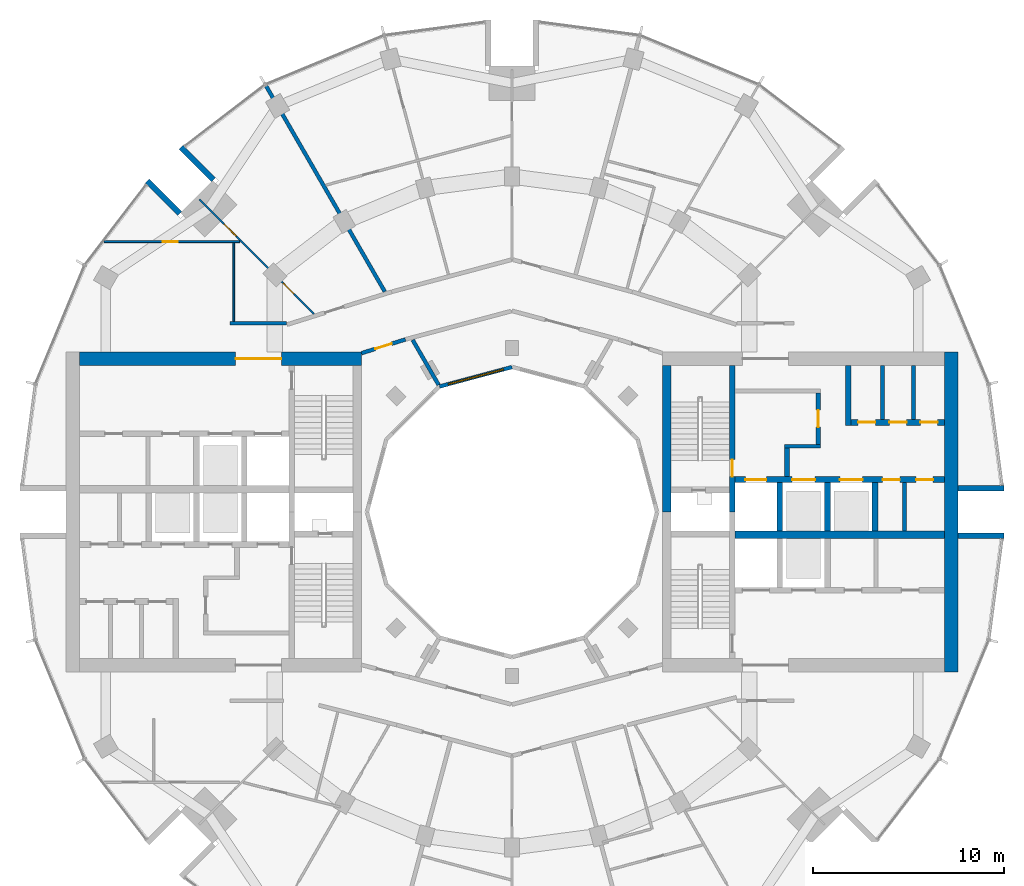
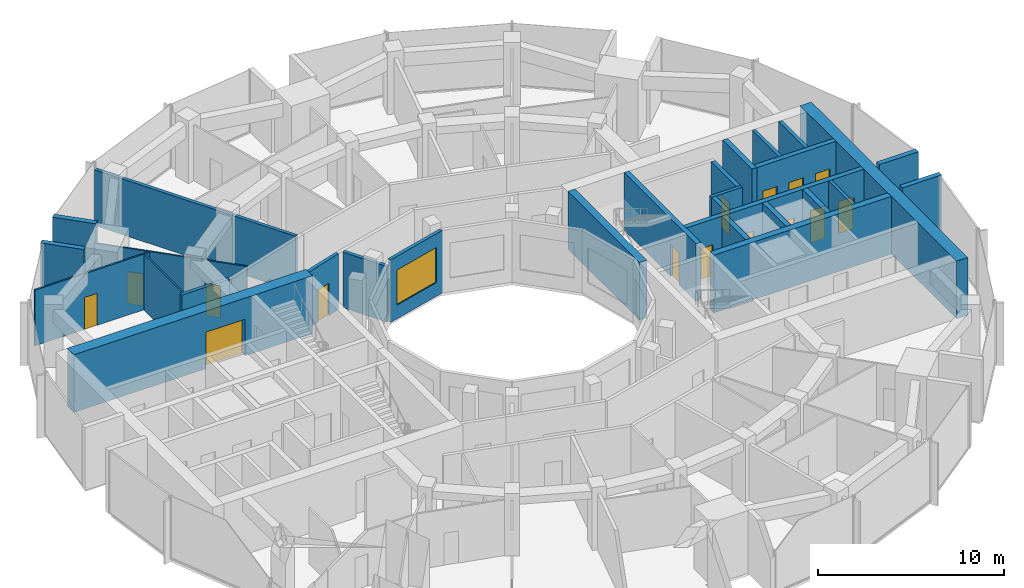
# One storey, part 11 of 15: 29 walls, 15 doors, 1 window, 16 openings.
"""IFC4 building model written with IfcOpenShell, lengths in metres."""

from ifc_helpers import new_model, si_unit, direction, frame, frame_2d, origin, place, context, subcontext, project, spatial, rectangle, extrude, material, layer, layer_set, type_object, element, fill, save


model = new_model("IFC4")

# Units and contexts
model_context = context("Model", 3, precision=1e-05, world=origin(), true_north=direction((0.0, 1.0)))
body_context = subcontext(model_context, "Body", "Model", "MODEL_VIEW")
ifc_project = project(units=[si_unit("LENGTHUNIT", "METRE"), si_unit("AREAUNIT", "SQUARE_METRE"), si_unit("VOLUMEUNIT", "CUBIC_METRE"), si_unit("PLANEANGLEUNIT", "RADIAN"), si_unit("MASSUNIT", "GRAM", prefix="KILO")], contexts=[model_context])

# Site, building, storey
site_placement = place(None, origin())
site = spatial("IfcSite", under=ifc_project, at=site_placement, CompositionType="ELEMENT")
building_placement = place(site_placement, origin())
building = spatial("IfcBuilding", under=site, at=building_placement, Name="Torre Brocal", CompositionType="ELEMENT")
storey_placement = place(building_placement, frame((0.0, 0.0, 170.0)))
storey = spatial("IfcBuildingStorey", under=building, at=storey_placement, Name="L39", CompositionType="ELEMENT", Elevation=170.0)

# Walls
ifc_material_1 = material(Name="Masonry block", Category="masonry")
ifc_layer_1 = layer(ifc_material_1, 0.199951171875)
ifc_layer_set_1 = layer_set([ifc_layer_1], Name="Masonry block")
wall_type_1 = type_object("IfcWallType", Name="CORE PARTITION 200", PredefinedType="PARTITIONING", material=ifc_layer_set_1)
wall_1_placement = place(storey_placement, frame((100.60009765625, 74.0, 0.0), z_axis=(0.0, 0.0, 1.0), x_axis=(0.0, 1.0, 0.0)))
element("IfcWall", 1, at=wall_1_placement, inside=storey, type_object=wall_type_1, Name="Wall CP200", PredefinedType="PARTITIONING", context=body_context, shape_type="SweptSolid", body=[
    extrude(rectangle(XDim=2.550048828125, YDim=0.199951171875, at=frame_2d((1.27490234375, 0.0))), origin(), (0.0, 0.0, 1.0), 3.780029296875),
])
for number, where, z_axis, x_axis, name in (
    (2, (99.433349609375, 79.85009765625, 0.0), (0.0, 0.0, 1.0), (0.0, 1.0, 0.0), "Wall CP200"),
    (3, (101.066650390625, 79.85009765625, 0.0), (0.0, 0.0, 1.0), (0.0, 1.0, 0.0), "Wall CP200"),
):
    element("IfcWall", number, at=place(storey_placement, frame(where, z_axis=z_axis, x_axis=x_axis)), inside=storey, type_object=wall_type_1, Name=name, PredefinedType="PARTITIONING", context=body_context, shape_type="SweptSolid", body=[
        extrude(rectangle(XDim=2.849853515625, YDim=0.199951171875, at=frame_2d((1.4248046875, 0.0))), origin(), (0.0, 0.0, 1.0), 3.780029296875),
    ])
ifc_material_2 = material(Name="Concrete C70", Category="concrete")
ifc_layer_2 = layer(ifc_material_2, 0.199951171875)
ifc_layer_set_2 = layer_set([ifc_layer_2], Name="Concrete C70")
wall_type_2 = type_object("IfcWallType", Name="CORE WALL 200 C70", PredefinedType="SHEAR", material=ifc_layer_set_2)
wall_2_placement = place(storey_placement, frame((94.300048828125, 78.449951171875, 0.0), z_axis=(0.0, 0.0, 1.0), x_axis=(1.0, 0.0, 0.0)))
element("IfcWall", 4, at=wall_2_placement, inside=storey, type_object=wall_type_2, Name="Wall CW200-70", PredefinedType="SHEAR", context=body_context, shape_type="SweptSolid", body=[
    extrude(rectangle(XDim=1.89990234375, YDim=0.199951171875, at=frame_2d((0.949951171875, 0.0))), origin(), (0.0, 0.0, 1.0), 3.780029296875),
])

# Wall, opening, door
ifc_material_3 = material(Name="Concrete C70", Category="concrete")
ifc_layer_3 = layer(ifc_material_3, 0.25)
ifc_layer_set_3 = layer_set([ifc_layer_3], Name="Concrete C70")
wall_type_3 = type_object("IfcWallType", Name="CORE WALL 250 C70", PredefinedType="SHEAR", material=ifc_layer_set_3)
wall_3_placement = place(storey_placement, frame((96.074951171875, 78.550048828125, 0.0), z_axis=(0.0, 0.0, 1.0), x_axis=(0.0, 1.0, 0.0)))
wall_3 = element("IfcWall", 5, at=wall_3_placement, inside=storey, type_object=wall_type_3, Name="Wall CW250-70", PredefinedType="SHEAR", context=body_context, shape_type="SweptSolid", body=[
    extrude(rectangle(XDim=2.699951171875, YDim=0.25, at=frame_2d((1.35009765625, 0.0))), origin(), (0.0, 0.0, 1.0), 3.780029296875),
])
opening_1_placement = place(wall_3_placement, frame((0.89990234375, 0.0, 0.0)))
opening_1 = element("IfcOpeningElement", 6, at=opening_1_placement, cuts=wall_3, Name="Opening E-D08", PredefinedType="OPENING", context=body_context, shape_type="SweptSolid", body=[
    extrude(rectangle(XDim=0.89990234375, YDim=2.10009765625, at=frame_2d((0.449951171875, 1.050048828125))), frame((0.0, 0.135009765625, 0.0), z_axis=(0.0, -1.0, 0.0), x_axis=(1.0, 0.0, 0.0)), (0.0, 0.0, 1.0), 0.27001953125),
])
ifc_material_4 = material(Name="Steel A653", Category="steel")
door_type_1 = type_object("IfcDoorType", Name="LOBBY DOOR FD120 900X2100", OperationType="SINGLE_SWING_RIGHT", PredefinedType="DOOR", material=ifc_material_4)
door_1_placement = place(opening_1_placement, origin())
door_1 = element("IfcDoor", 7, at=door_1_placement, inside=storey, type_object=door_type_1, Name="Door E-D08", OperationType="SINGLE_SWING_LEFT", OverallHeight=2.10009765625, OverallWidth=0.89990234375, PredefinedType="DOOR", context=body_context, shape_type="SweptSolid", body=[
    extrude(rectangle(XDim=0.89990234375, YDim=2.10009765625, at=frame_2d((0.449951171875, 1.050048828125))), frame((0.0, 0.02490234375, 0.0), z_axis=(0.0, -1.0, 0.0), x_axis=(1.0, 0.0, 0.0)), (0.0, 0.0, 1.0), 0.050048828125),
])
fill(opening_1, door_1)

# Wall
wall_4_placement = place(storey_placement, frame((94.425048828125, 76.85009765625, 0.0), z_axis=(0.0, 0.0, 1.0), x_axis=(0.0, 1.0, 0.0)))
element("IfcWall", 8, at=wall_4_placement, inside=storey, type_object=wall_type_3, Name="Wall CW250-70", PredefinedType="SHEAR", context=body_context, shape_type="SweptSolid", body=[
    extrude(rectangle(XDim=1.5, YDim=0.25, at=frame_2d((0.75, 0.0))), origin(), (0.0, 0.0, 1.0), 3.780029296875),
])

# Wall, opening, door
ifc_material_5 = material(Name="Concrete C70", Category="concrete")
ifc_layer_4 = layer(ifc_material_5, 0.300048828125)
ifc_layer_set_4 = layer_set([ifc_layer_4], Name="Concrete C70")
wall_type_4 = type_object("IfcWallType", Name="CORE WALL 300 C70", PredefinedType="SHEAR", material=ifc_layer_set_4)
wall_5_placement = place(storey_placement, frame((91.550048828125, 75.0, 0.0), z_axis=(0.0, 0.0, 1.0), x_axis=(0.0, 1.0, 0.0)))
wall_5 = element("IfcWall", 9, at=wall_5_placement, inside=storey, type_object=wall_type_4, Name="Wall CW300-70", PredefinedType="SHEAR", context=body_context, shape_type="SweptSolid", body=[
    extrude(rectangle(XDim=7.699951171875, YDim=0.300048828125, at=frame_2d((3.85009765625, 0.0))), origin(), (0.0, 0.0, 1.0), 3.780029296875),
])
opening_2_placement = place(wall_5_placement, frame((1.85009765625, 0.0, 0.0)))
opening_2 = element("IfcOpeningElement", 10, at=opening_2_placement, cuts=wall_5, Name="Opening E-D02", PredefinedType="OPENING", context=body_context, shape_type="SweptSolid", body=[
    extrude(rectangle(XDim=0.89990234375, YDim=2.10009765625, at=frame_2d((0.449951171875, 1.050048828125))), frame((0.0, 0.159912109375, 0.0), z_axis=(0.0, -1.0, 0.0), x_axis=(1.0, 0.0, 0.0)), (0.0, 0.0, 1.0), 0.320068359375),
])
ifc_material_6 = material(Name="Steel A653", Category="steel")
door_type_2 = type_object("IfcDoorType", Name="STAIR DOOR FD120 900X2100", OperationType="SINGLE_SWING_RIGHT", PredefinedType="DOOR", material=ifc_material_6)
door_2_placement = place(opening_2_placement, origin())
door_2 = element("IfcDoor", 11, at=door_2_placement, inside=storey, type_object=door_type_2, Name="Door E-D02", OperationType="SINGLE_SWING_LEFT", OverallHeight=2.10009765625, OverallWidth=0.89990234375, PredefinedType="DOOR", context=body_context, shape_type="SweptSolid", body=[
    extrude(rectangle(XDim=0.89990234375, YDim=2.10009765625, at=frame_2d((0.449951171875, 1.050048828125))), frame((0.0, 0.02490234375, 0.0), z_axis=(0.0, -1.0, 0.0), x_axis=(1.0, 0.0, 0.0)), (0.0, 0.0, 1.0), 0.050048828125),
])
fill(opening_2, door_2)

# Wall, openings, doors
wall_6_placement = place(storey_placement, frame((91.699951171875, 76.699951171875, 0.0), z_axis=(0.0, 0.0, 1.0), x_axis=(1.0, 0.0, 0.0)))
wall_6 = element("IfcWall", 12, at=wall_6_placement, inside=storey, type_object=wall_type_4, Name="Wall CW300-70", PredefinedType="SHEAR", context=body_context, shape_type="SweptSolid", body=[
    extrude(rectangle(XDim=11.0, YDim=0.300048828125, at=frame_2d((5.5, 0.0))), origin(), (0.0, 0.0, 1.0), 3.780029296875),
])
opening_3_placement = place(wall_6_placement, frame((0.550048828125, 0.0, 0.0)))
opening_3 = element("IfcOpeningElement", 13, at=opening_3_placement, cuts=wall_6, Name="Opening LD", PredefinedType="OPENING", context=body_context, shape_type="SweptSolid", body=[
    extrude(rectangle(XDim=1.10009765625, YDim=2.10009765625, at=frame_2d((0.550048828125, 1.050048828125))), frame((0.0, 0.159912109375, 0.0), z_axis=(0.0, -1.0, 0.0), x_axis=(1.0, 0.0, 0.0)), (0.0, 0.0, 1.0), 0.320068359375),
])
opening_4_placement = place(wall_6_placement, frame((3.0, 0.0, 0.0)))
opening_4 = element("IfcOpeningElement", 14, at=opening_4_placement, cuts=wall_6, Name="Opening LD12", PredefinedType="OPENING", context=body_context, shape_type="SweptSolid", body=[
    extrude(rectangle(XDim=1.199951171875, YDim=2.10009765625, at=frame_2d((0.60009765625, 1.050048828125))), frame((0.0, 0.159912109375, 0.0), z_axis=(0.0, -1.0, 0.0), x_axis=(1.0, 0.0, 0.0)), (0.0, 0.0, 1.0), 0.320068359375),
])
opening_5_placement = place(wall_6_placement, frame((5.5, 0.0, 0.0)))
opening_5 = element("IfcOpeningElement", 15, at=opening_5_placement, cuts=wall_6, Name="Opening LD12", PredefinedType="OPENING", context=body_context, shape_type="SweptSolid", body=[
    extrude(rectangle(XDim=1.199951171875, YDim=2.10009765625, at=frame_2d((0.60009765625, 1.050048828125))), frame((0.0, 0.159912109375, 0.0), z_axis=(0.0, -1.0, 0.0), x_axis=(1.0, 0.0, 0.0)), (0.0, 0.0, 1.0), 0.320068359375),
])
opening_6_placement = place(wall_6_placement, frame((7.75, 0.0, 0.0)))
opening_6 = element("IfcOpeningElement", 16, at=opening_6_placement, cuts=wall_6, Name="Opening E-D04", PredefinedType="OPENING", context=body_context, shape_type="SweptSolid", body=[
    extrude(rectangle(XDim=0.89990234375, YDim=2.10009765625, at=frame_2d((0.449951171875, 1.050048828125))), frame((0.0, 0.159912109375, 0.0), z_axis=(0.0, -1.0, 0.0), x_axis=(1.0, 0.0, 0.0)), (0.0, 0.0, 1.0), 0.320068359375),
])
opening_7_placement = place(wall_6_placement, frame((9.5, 0.0, 0.0)))
opening_7 = element("IfcOpeningElement", 17, at=opening_7_placement, cuts=wall_6, Name="Opening E-D05", PredefinedType="OPENING", context=body_context, shape_type="SweptSolid", body=[
    extrude(rectangle(XDim=0.89990234375, YDim=2.10009765625, at=frame_2d((0.449951171875, 1.050048828125))), frame((0.0, 0.159912109375, 0.0), z_axis=(0.0, -1.0, 0.0), x_axis=(1.0, 0.0, 0.0)), (0.0, 0.0, 1.0), 0.320068359375),
])
ifc_material_7 = material(Name="Stainless steel AISI 316", Category="steel")
door_type_3 = type_object("IfcDoorType", Name="LIFT LANDING DOOR 1100X2100", OperationType="DOUBLE_DOOR_SLIDING", PredefinedType="DOOR", material=ifc_material_7)
door_3_placement = place(opening_3_placement, origin())
door_3 = element("IfcDoor", 18, at=door_3_placement, inside=storey, type_object=door_type_3, Name="Door LD", OperationType="DOUBLE_DOOR_SLIDING", OverallHeight=2.10009765625, OverallWidth=1.10009765625, PredefinedType="DOOR", context=body_context, shape_type="SweptSolid", body=[
    extrude(rectangle(XDim=1.10009765625, YDim=2.10009765625, at=frame_2d((0.550048828125, 1.050048828125))), frame((0.0, 0.02490234375, 0.0), z_axis=(0.0, -1.0, 0.0), x_axis=(1.0, 0.0, 0.0)), (0.0, 0.0, 1.0), 0.050048828125),
])
fill(opening_3, door_3)
ifc_material_8 = material(Name="Stainless steel AISI 316", Category="steel")
door_type_4 = type_object("IfcDoorType", Name="LIFT LANDING DOOR 1200X2100", OperationType="DOUBLE_DOOR_SLIDING", PredefinedType="DOOR", material=ifc_material_8)
door_4_placement = place(opening_4_placement, origin())
door_4 = element("IfcDoor", 19, at=door_4_placement, inside=storey, type_object=door_type_4, Name="Door LD12", OperationType="DOUBLE_DOOR_SLIDING", OverallHeight=2.10009765625, OverallWidth=1.199951171875, PredefinedType="DOOR", context=body_context, shape_type="SweptSolid", body=[
    extrude(rectangle(XDim=1.199951171875, YDim=2.10009765625, at=frame_2d((0.60009765625, 1.050048828125))), frame((0.0, 0.02490234375, 0.0), z_axis=(0.0, -1.0, 0.0), x_axis=(1.0, 0.0, 0.0)), (0.0, 0.0, 1.0), 0.050048828125),
])
fill(opening_4, door_4)
door_5_placement = place(opening_5_placement, origin())
door_5 = element("IfcDoor", 20, at=door_5_placement, inside=storey, type_object=door_type_4, Name="Door LD12", OperationType="DOUBLE_DOOR_SLIDING", OverallHeight=2.10009765625, OverallWidth=1.199951171875, PredefinedType="DOOR", context=body_context, shape_type="SweptSolid", body=[
    extrude(rectangle(XDim=1.199951171875, YDim=2.10009765625, at=frame_2d((0.60009765625, 1.050048828125))), frame((0.0, 0.02490234375, 0.0), z_axis=(0.0, -1.0, 0.0), x_axis=(1.0, 0.0, 0.0)), (0.0, 0.0, 1.0), 0.050048828125),
])
fill(opening_5, door_5)
ifc_material_9 = material(Name="Steel A653", Category="steel")
door_type_5 = type_object("IfcDoorType", Name="ROOM DOOR FD30S 900X2100", OperationType="SINGLE_SWING_LEFT", PredefinedType="DOOR", material=ifc_material_9)
door_6_placement = place(opening_6_placement, frame((0.89990234375, 0.0, 0.0), z_axis=(0.0, 0.0, 1.0), x_axis=(-1.0, 0.0, 0.0)))
door_6 = element("IfcDoor", 21, at=door_6_placement, inside=storey, type_object=door_type_5, Name="Door E-D04", OperationType="SINGLE_SWING_LEFT", OverallHeight=2.10009765625, OverallWidth=0.89990234375, PredefinedType="DOOR", context=body_context, shape_type="SweptSolid", body=[
    extrude(rectangle(XDim=0.89990234375, YDim=2.10009765625, at=frame_2d((0.449951171875, 1.050048828125))), frame((0.0, 0.02490234375, 0.0), z_axis=(0.0, -1.0, 0.0), x_axis=(1.0, 0.0, 0.0)), (0.0, 0.0, 1.0), 0.050048828125),
])
fill(opening_6, door_6)
door_7_placement = place(opening_7_placement, frame((0.89990234375, 0.0, 0.0), z_axis=(0.0, 0.0, 1.0), x_axis=(-1.0, 0.0, 0.0)))
door_7 = element("IfcDoor", 22, at=door_7_placement, inside=storey, type_object=door_type_5, Name="Door E-D05", OperationType="SINGLE_SWING_RIGHT", OverallHeight=2.10009765625, OverallWidth=0.89990234375, PredefinedType="DOOR", context=body_context, shape_type="SweptSolid", body=[
    extrude(rectangle(XDim=0.89990234375, YDim=2.10009765625, at=frame_2d((0.449951171875, 1.050048828125))), frame((0.0, 0.02490234375, 0.0), z_axis=(0.0, -1.0, 0.0), x_axis=(1.0, 0.0, 0.0)), (0.0, 0.0, 1.0), 0.050048828125),
])
fill(opening_7, door_7)

# Walls
for number, where, z_axis, x_axis, name in (
    (23, (94.050048828125, 74.0, 0.0), (0.0, 0.0, 1.0), (0.0, 1.0, 0.0), "Wall CW300-70"),
    (24, (96.550048828125, 74.0, 0.0), (0.0, 0.0, 1.0), (0.0, 1.0, 0.0), "Wall CW300-70"),
    (25, (99.050048828125, 74.0, 0.0), (0.0, 0.0, 1.0), (0.0, 1.0, 0.0), "Wall CW300-70"),
):
    element("IfcWall", number, at=place(storey_placement, frame(where, z_axis=z_axis, x_axis=x_axis)), inside=storey, type_object=wall_type_4, Name=name, PredefinedType="SHEAR", context=body_context, shape_type="SweptSolid", body=[
        extrude(rectangle(XDim=2.550048828125, YDim=0.300048828125, at=frame_2d((1.27490234375, 0.0))), origin(), (0.0, 0.0, 1.0), 3.780029296875),
    ])
wall_7_placement = place(storey_placement, frame((97.64990234375, 79.550048828125, 0.0), z_axis=(0.0, 0.0, 1.0), x_axis=(0.0, 1.0, 0.0)))
element("IfcWall", 26, at=wall_7_placement, inside=storey, type_object=wall_type_4, Name="Wall CW300-70", PredefinedType="SHEAR", context=body_context, shape_type="SweptSolid", body=[
    extrude(rectangle(XDim=3.14990234375, YDim=0.300048828125, at=frame_2d((1.574951171875, 0.0))), origin(), (0.0, 0.0, 1.0), 3.780029296875),
])

# Wall, openings, doors
wall_8_placement = place(storey_placement, frame((97.800048828125, 79.699951171875, 0.0), z_axis=(0.0, 0.0, 1.0), x_axis=(1.0, 0.0, 0.0)))
wall_8 = element("IfcWall", 27, at=wall_8_placement, inside=storey, type_object=wall_type_4, Name="Wall CW300-70", PredefinedType="SHEAR", context=body_context, shape_type="SweptSolid", body=[
    extrude(rectangle(XDim=4.89990234375, YDim=0.300048828125, at=frame_2d((2.449951171875, 0.0))), origin(), (0.0, 0.0, 1.0), 3.780029296875),
])
opening_8_placement = place(wall_8_placement, frame((0.36669921875, 0.0, 0.0)))
opening_8 = element("IfcOpeningElement", 28, at=opening_8_placement, cuts=wall_8, Name="Opening E-D09", PredefinedType="OPENING", context=body_context, shape_type="SweptSolid", body=[
    extrude(rectangle(XDim=0.89990234375, YDim=2.10009765625, at=frame_2d((0.449951171875, 1.050048828125))), frame((0.0, 0.159912109375, 0.0), z_axis=(0.0, -1.0, 0.0), x_axis=(1.0, 0.0, 0.0)), (0.0, 0.0, 1.0), 0.320068359375),
])
opening_9_placement = place(wall_8_placement, frame((2.0, 0.0, 0.0)))
opening_9 = element("IfcOpeningElement", 29, at=opening_9_placement, cuts=wall_8, Name="Opening E-D10", PredefinedType="OPENING", context=body_context, shape_type="SweptSolid", body=[
    extrude(rectangle(XDim=0.89990234375, YDim=2.10009765625, at=frame_2d((0.449951171875, 1.050048828125))), frame((0.0, 0.159912109375, 0.0), z_axis=(0.0, -1.0, 0.0), x_axis=(1.0, 0.0, 0.0)), (0.0, 0.0, 1.0), 0.320068359375),
])
opening_10_placement = place(wall_8_placement, frame((3.63330078125, 0.0, 0.0)))
opening_10 = element("IfcOpeningElement", 30, at=opening_10_placement, cuts=wall_8, Name="Opening E-D11", PredefinedType="OPENING", context=body_context, shape_type="SweptSolid", body=[
    extrude(rectangle(XDim=0.89990234375, YDim=2.10009765625, at=frame_2d((0.449951171875, 1.050048828125))), frame((0.0, 0.159912109375, 0.0), z_axis=(0.0, -1.0, 0.0), x_axis=(1.0, 0.0, 0.0)), (0.0, 0.0, 1.0), 0.320068359375),
])
door_8_placement = place(opening_8_placement, origin())
door_8 = element("IfcDoor", 31, at=door_8_placement, inside=storey, type_object=door_type_5, Name="Door E-D09", OperationType="SINGLE_SWING_RIGHT", OverallHeight=2.10009765625, OverallWidth=0.89990234375, PredefinedType="DOOR", context=body_context, shape_type="SweptSolid", body=[
    extrude(rectangle(XDim=0.89990234375, YDim=2.10009765625, at=frame_2d((0.449951171875, 1.050048828125))), frame((0.0, 0.02490234375, 0.0), z_axis=(0.0, -1.0, 0.0), x_axis=(1.0, 0.0, 0.0)), (0.0, 0.0, 1.0), 0.050048828125),
])
fill(opening_8, door_8)
door_9_placement = place(opening_9_placement, origin())
door_9 = element("IfcDoor", 32, at=door_9_placement, inside=storey, type_object=door_type_5, Name="Door E-D10", OperationType="SINGLE_SWING_LEFT", OverallHeight=2.10009765625, OverallWidth=0.89990234375, PredefinedType="DOOR", context=body_context, shape_type="SweptSolid", body=[
    extrude(rectangle(XDim=0.89990234375, YDim=2.10009765625, at=frame_2d((0.449951171875, 1.050048828125))), frame((0.0, 0.02490234375, 0.0), z_axis=(0.0, -1.0, 0.0), x_axis=(1.0, 0.0, 0.0)), (0.0, 0.0, 1.0), 0.050048828125),
])
fill(opening_9, door_9)
door_10_placement = place(opening_10_placement, origin())
door_10 = element("IfcDoor", 33, at=door_10_placement, inside=storey, type_object=door_type_5, Name="Door E-D11", OperationType="SINGLE_SWING_LEFT", OverallHeight=2.10009765625, OverallWidth=0.89990234375, PredefinedType="DOOR", context=body_context, shape_type="SweptSolid", body=[
    extrude(rectangle(XDim=0.89990234375, YDim=2.10009765625, at=frame_2d((0.449951171875, 1.050048828125))), frame((0.0, 0.02490234375, 0.0), z_axis=(0.0, -1.0, 0.0), x_axis=(1.0, 0.0, 0.0)), (0.0, 0.0, 1.0), 0.050048828125),
])
fill(opening_10, door_10)

# Walls
ifc_material_10 = material(Name="Concrete C70", Category="concrete")
ifc_layer_5 = layer(ifc_material_10, 0.39990234375)
ifc_layer_set_5 = layer_set([ifc_layer_5], Name="Concrete C70")
wall_type_5 = type_object("IfcWallType", Name="CORE WALL 400 C70", PredefinedType="SHEAR", material=ifc_layer_set_5)
wall_9_placement = place(storey_placement, frame((91.699951171875, 73.800048828125, 0.0), z_axis=(0.0, 0.0, 1.0), x_axis=(1.0, 0.0, 0.0)))
element("IfcWall", 34, at=wall_9_placement, inside=storey, type_object=wall_type_5, Name="Wall CW400-70", PredefinedType="SHEAR", context=body_context, shape_type="SweptSolid", body=[
    extrude(rectangle(XDim=11.0, YDim=0.39990234375, at=frame_2d((5.5, 0.0))), origin(), (0.0, 0.0, 1.0), 3.780029296875),
])
ifc_material_11 = material(Name="Concrete C70", Category="concrete")
ifc_layer_6 = layer(ifc_material_11, 0.449951171875)
ifc_layer_set_6 = layer_set([ifc_layer_6], Name="Concrete C70")
wall_type_6 = type_object("IfcWallType", Name="CORE WALL 450 C70", PredefinedType="SHEAR", material=ifc_layer_set_6)
wall_10_placement = place(storey_placement, frame((88.125, 75.0, 0.0), z_axis=(0.0, 0.0, 1.0), x_axis=(0.0, 1.0, 0.0)))
element("IfcWall", 35, at=wall_10_placement, inside=storey, type_object=wall_type_6, Name="Wall CW450-70", PredefinedType="SHEAR", context=body_context, shape_type="SweptSolid", body=[
    extrude(rectangle(XDim=7.699951171875, YDim=0.449951171875, at=frame_2d((3.85009765625, 0.0))), origin(), (0.0, 0.0, 1.0), 3.780029296875),
])
ifc_material_12 = material(Name="Concrete C70", Category="concrete")
ifc_layer_7 = layer(ifc_material_12, 0.699951171875)
ifc_layer_set_7 = layer_set([ifc_layer_7], Name="Concrete C70")
wall_type_7 = type_object("IfcWallType", Name="CORE WALL 700 C70", PredefinedType="SHEAR", material=ifc_layer_set_7)
wall_11_placement = place(storey_placement, frame((103.050048828125, 66.60009765625, 0.0), z_axis=(0.0, 0.0, 1.0), x_axis=(0.0, 1.0, 0.0)))
element("IfcWall", 36, at=wall_11_placement, inside=storey, type_object=wall_type_7, Name="Wall CW700-70", PredefinedType="SHEAR", context=body_context, shape_type="SweptSolid", body=[
    extrude(rectangle(XDim=16.7998046875, YDim=0.699951171875, at=frame_2d((8.39990234375, 0.0))), origin(), (0.0, 0.0, 1.0), 3.780029296875),
])

# Wall, opening, door
wall_12_placement = place(storey_placement, frame((72.10009765625, 83.050048828125, 0.0), z_axis=(0.0, 0.0, 1.0), x_axis=(-1.0, 0.0, 0.0)))
wall_12 = element("IfcWall", 37, at=wall_12_placement, inside=storey, type_object=wall_type_7, Name="Wall CW700-70", PredefinedType="SHEAR", context=body_context, shape_type="SweptSolid", body=[
    extrude(rectangle(XDim=14.800048828125, YDim=0.699951171875, at=frame_2d((7.39990234375, 0.0))), origin(), (0.0, 0.0, 1.0), 3.780029296875),
])
opening_11_placement = place(wall_12_placement, frame((4.199951171875, 0.0, 0.0)))
opening_11 = element("IfcOpeningElement", 38, at=opening_11_placement, cuts=wall_12, Name="Opening W-D13", PredefinedType="OPENING", context=body_context, shape_type="SweptSolid", body=[
    extrude(rectangle(XDim=2.39990234375, YDim=2.39990234375, at=frame_2d((1.199951171875, 1.199951171875))), frame((0.0, 0.35986328125, 0.0), z_axis=(0.0, -1.0, 0.0), x_axis=(1.0, 0.0, 0.0)), (0.0, 0.0, 1.0), 0.719970703125),
])
ifc_material_13 = material(Name="Steel A653", Category="steel")
door_type_6 = type_object("IfcDoorType", Name="DOUBLE FIRE DOOR FD90 2400X2400", OperationType="DOUBLE_DOOR_SINGLE_SWING", PredefinedType="DOOR", material=ifc_material_13)
door_11_placement = place(opening_11_placement, origin())
door_11 = element("IfcDoor", 39, at=door_11_placement, inside=storey, type_object=door_type_6, Name="Door W-D13", OperationType="DOUBLE_DOOR_SINGLE_SWING", OverallHeight=2.39990234375, OverallWidth=2.39990234375, PredefinedType="DOOR", context=body_context, shape_type="SweptSolid", body=[
    extrude(rectangle(XDim=2.39990234375, YDim=2.39990234375, at=frame_2d((1.199951171875, 1.199951171875))), frame((0.0, 0.02490234375, 0.0), z_axis=(0.0, -1.0, 0.0), x_axis=(1.0, 0.0, 0.0)), (0.0, 0.0, 1.0), 0.050048828125),
])
fill(opening_11, door_11)

# Walls
ifc_material_14 = material(Name="Concrete C70", Category="concrete")
ifc_layer_8 = layer(ifc_material_14, 0.300048828125)
ifc_layer_set_8 = layer_set([ifc_layer_8], Name="Concrete C70")
wall_type_8 = type_object("IfcWallType", Name="NOTCH RETURN WALL 300 C70", PredefinedType="NOTDEFINED", material=ifc_layer_set_8)
for number, where, z_axis, x_axis, name in (
    (40, (103.39990234375, 73.75, 0.0), (0.0, 0.0, 1.0), (1.0, 0.0, 0.0), "NOTCH RETURN WALL"),
    (41, (103.39990234375, 76.25, 0.0), (0.0, 0.0, 1.0), (1.0, 0.0, 0.0), "NOTCH RETURN WALL"),
    (42, (64.337646484375, 92.43017578125, 0.0), (0.0, 0.0, 1.0), (-0.707106781187, 0.707106781187, 0.0), "NOTCH RETURN WALL"),
    (43, (62.56982421875, 90.662353515625, 0.0), (0.0, 0.0, 1.0), (-0.707106781187, 0.707106781187, 0.0), "NOTCH RETURN WALL"),
):
    element("IfcWall", number, at=place(storey_placement, frame(where, z_axis=z_axis, x_axis=x_axis)), inside=storey, type_object=wall_type_8, Name=name, PredefinedType="NOTDEFINED", context=body_context, shape_type="SweptSolid", body=[
        extrude(rectangle(XDim=2.415771484375, YDim=0.300048828125, at=frame_2d((1.2080078125, 0.0))), origin(), (0.0, 0.0, 1.0), 4.10009765625),
    ])

# Wall, opening, door
ifc_material_15 = material(Name="Gypsum board", Category="Gypsum")
ifc_layer_9 = layer(ifc_material_15, 0.10009765625)
ifc_layer_set_9 = layer_set([ifc_layer_9], Name="Gypsum board")
wall_type_9 = type_object("IfcWallType", Name="PARTITION 100", PredefinedType="PARTITIONING", material=ifc_layer_set_9)
wall_13_placement = place(storey_placement, frame((58.60009765625, 89.18798828125, 0.0), z_axis=(0.0, 0.0, 1.0), x_axis=(1.0, 0.0, 0.0)))
wall_13 = element("IfcWall", 44, at=wall_13_placement, inside=storey, type_object=wall_type_9, Name="BATHROOM WALL", PredefinedType="PARTITIONING", context=body_context, shape_type="SweptSolid", body=[
    extrude(rectangle(XDim=7.1025390625, YDim=0.10009765625, at=frame_2d((3.55126953125, 0.0))), origin(), (0.0, 0.0, 1.0), 3.64990234375),
])
opening_12_placement = place(wall_13_placement, frame((3.06494140625, 0.0, 0.0)))
opening_12 = element("IfcOpeningElement", 45, at=opening_12_placement, cuts=wall_13, Name="Opening R02-D14", PredefinedType="OPENING", context=body_context, shape_type="SweptSolid", body=[
    extrude(rectangle(XDim=0.800048828125, YDim=2.10009765625, at=frame_2d((0.39990234375, 1.050048828125))), frame((0.0, 0.06005859375, 0.0), z_axis=(0.0, -1.0, 0.0), x_axis=(1.0, 0.0, 0.0)), (0.0, 0.0, 1.0), 0.1201171875),
])
ifc_material_16 = material(Name="Timber", Category="wood")
door_type_7 = type_object("IfcDoorType", Name="BATHROOM DOOR 800X2100", OperationType="SINGLE_SWING_LEFT", PredefinedType="DOOR", material=ifc_material_16)
door_12_placement = place(opening_12_placement, frame((0.800048828125, 0.0, 0.0), z_axis=(0.0, 0.0, 1.0), x_axis=(-1.0, 0.0, 0.0)))
door_12 = element("IfcDoor", 46, at=door_12_placement, inside=storey, type_object=door_type_7, Name="R02-D14", OperationType="SINGLE_SWING_LEFT", OverallHeight=2.10009765625, OverallWidth=0.800048828125, PredefinedType="DOOR", context=body_context, shape_type="SweptSolid", body=[
    extrude(rectangle(XDim=0.800048828125, YDim=2.10009765625, at=frame_2d((0.39990234375, 1.050048828125))), frame((0.0, 0.02490234375, 0.0), z_axis=(0.0, -1.0, 0.0), x_axis=(1.0, 0.0, 0.0)), (0.0, 0.0, 1.0), 0.050048828125),
])
fill(opening_12, door_12)

# Wall, openings, doors
wall_14_placement = place(storey_placement, frame((63.59765625, 91.4072265625, 0.0), z_axis=(0.0, 0.0, 1.0), x_axis=(0.70700623685, -0.707207311228, 0.0)))
wall_14 = element("IfcWall", 47, at=wall_14_placement, inside=storey, type_object=wall_type_9, Name="BATHROOM WALL", PredefinedType="PARTITIONING", context=body_context, shape_type="SweptSolid", body=[
    extrude(rectangle(XDim=8.499267578125, YDim=0.10009765625, at=frame_2d((4.24951171875, 0.0))), origin(), (0.0, 0.0, 1.0), 3.64990234375),
])
opening_13_placement = place(wall_14_placement, frame((1.830322265625, 0.0, 0.0)))
opening_13 = element("IfcOpeningElement", 48, at=opening_13_placement, cuts=wall_14, Name="Opening R02-D13", PredefinedType="OPENING", context=body_context, shape_type="SweptSolid", body=[
    extrude(rectangle(XDim=0.89990234375, YDim=2.10009765625, at=frame_2d((0.449951171875, 1.050048828125))), frame((0.0, 0.06005859375, 0.0), z_axis=(0.0, -1.0, 0.0), x_axis=(1.0, 0.0, 0.0)), (0.0, 0.0, 1.0), 0.1201171875),
])
opening_14_placement = place(wall_14_placement, frame((6.218505859375, 0.0, 0.0)))
opening_14 = element("IfcOpeningElement", 49, at=opening_14_placement, cuts=wall_14, Name="Opening R02-D15", PredefinedType="OPENING", context=body_context, shape_type="SweptSolid", body=[
    extrude(rectangle(XDim=0.800048828125, YDim=2.10009765625, at=frame_2d((0.39990234375, 1.050048828125))), frame((0.0, 0.06005859375, 0.0), z_axis=(0.0, -1.0, 0.0), x_axis=(1.0, 0.0, 0.0)), (0.0, 0.0, 1.0), 0.1201171875),
])
door_13_placement = place(opening_14_placement, frame((0.800048828125, 0.0, 0.0), z_axis=(0.0, 0.0, 1.0), x_axis=(-1.0, 0.0, 0.0)))
door_13 = element("IfcDoor", 50, at=door_13_placement, inside=storey, type_object=door_type_7, Name="R02-D15", OperationType="SINGLE_SWING_LEFT", OverallHeight=2.10009765625, OverallWidth=0.800048828125, PredefinedType="DOOR", context=body_context, shape_type="SweptSolid", body=[
    extrude(rectangle(XDim=0.800048828125, YDim=2.10009765625, at=frame_2d((0.39990234375, 1.050048828125))), frame((0.0, 0.02490234375, 0.0), z_axis=(0.0, -1.0, 0.0), x_axis=(1.0, 0.0, 0.0)), (0.0, 0.0, 1.0), 0.050048828125),
])
fill(opening_14, door_13)
ifc_material_17 = material(Name="Timber", Category="wood")
door_type_8 = type_object("IfcDoorType", Name="ROOM DOOR 900X2100", OperationType="SINGLE_SWING_LEFT", PredefinedType="DOOR", material=ifc_material_17)
door_14_placement = place(opening_13_placement, frame((0.89990234375, 0.0, 0.0), z_axis=(0.0, 0.0, 1.0), x_axis=(-1.0, 0.0, 0.0)))
door_14 = element("IfcDoor", 51, at=door_14_placement, inside=storey, type_object=door_type_8, Name="R02-D13", OperationType="SINGLE_SWING_RIGHT", OverallHeight=2.10009765625, OverallWidth=0.89990234375, PredefinedType="DOOR", context=body_context, shape_type="SweptSolid", body=[
    extrude(rectangle(XDim=0.89990234375, YDim=2.10009765625, at=frame_2d((0.449951171875, 1.050048828125))), frame((0.0, 0.02490234375, 0.0), z_axis=(0.0, -1.0, 0.0), x_axis=(1.0, 0.0, 0.0)), (0.0, 0.0, 1.0), 0.050048828125),
])
fill(opening_13, door_14)

# Walls
wall_15_placement = place(storey_placement, frame((65.39990234375, 85.0, 0.0), z_axis=(0.0, 0.0, 1.0), x_axis=(0.0, 1.0, 0.0)))
element("IfcWall", 52, at=wall_15_placement, inside=storey, type_object=wall_type_9, Name="BATHROOM WALL", PredefinedType="PARTITIONING", context=body_context, shape_type="SweptSolid", body=[
    extrude(rectangle(XDim=4.137939453125, YDim=0.10009765625, at=frame_2d((2.06884765625, 0.0))), origin(), (0.0, 0.0, 1.0), 3.64990234375),
])
ifc_material_18 = material(Name="Gypsum board", Category="Gypsum")
ifc_layer_10 = layer(ifc_material_18, 0.199951171875)
ifc_layer_set_10 = layer_set([ifc_layer_10], Name="Gypsum board")
wall_type_10 = type_object("IfcWallType", Name="PARTITION 200 EI60", PredefinedType="PARTITIONING", material=ifc_layer_set_10)
wall_16_placement = place(storey_placement, frame((65.199951171875, 84.89990234375, 0.0), z_axis=(0.0, 0.0, 1.0), x_axis=(1.0, 0.0, 0.0)))
element("IfcWall", 53, at=wall_16_placement, inside=storey, type_object=wall_type_10, Name="CORRIDOR WALL", PredefinedType="PARTITIONING", context=body_context, shape_type="SweptSolid", body=[
    extrude(rectangle(XDim=2.969970703125, YDim=0.199951171875, at=frame_2d((1.48486328125, 0.0))), origin(), (0.0, 0.0, 1.0), 3.64990234375),
])
wall_17_placement = place(storey_placement, frame((67.10400390625, 97.343017578125, 0.0), z_axis=(0.0, 0.0, 1.0), x_axis=(0.499841888023, -0.866116670534, 0.0)))
element("IfcWall", 54, at=wall_17_placement, inside=storey, type_object=wall_type_10, Name="BATHROOM WALL", PredefinedType="PARTITIONING", context=body_context, shape_type="SweptSolid", body=[
    extrude(rectangle(XDim=12.44580078125, YDim=0.199951171875, at=frame_2d((6.222900390625, 0.0))), origin(), (0.0, 0.0, 1.0), 3.64990234375),
])

# Wall, opening, door
wall_18_placement = place(storey_placement, frame((72.10009765625, 83.33203125, 0.0), z_axis=(0.0, 0.0, 1.0), x_axis=(0.954233106619, 0.299063836383, 0.0)))
wall_18 = element("IfcWall", 55, at=wall_18_placement, inside=storey, type_object=wall_type_10, Name="CORRIDOR WALL", PredefinedType="PARTITIONING", context=body_context, shape_type="SweptSolid", body=[
    extrude(rectangle(XDim=2.4140625, YDim=0.199951171875, at=frame_2d((1.20703125, 0.0))), origin(), (0.0, 0.0, 1.0), 3.64990234375),
])
opening_15_placement = place(wall_18_placement, frame((0.761962890625, 0.0, 0.0)))
opening_15 = element("IfcOpeningElement", 56, at=opening_15_placement, cuts=wall_18, Name="Opening R02-D18", PredefinedType="OPENING", context=body_context, shape_type="SweptSolid", body=[
    extrude(rectangle(XDim=0.89990234375, YDim=2.10009765625, at=frame_2d((0.449951171875, 1.050048828125))), frame((0.0, 0.10986328125, 0.0), z_axis=(0.0, -1.0, 0.0), x_axis=(1.0, 0.0, 0.0)), (0.0, 0.0, 1.0), 0.219970703125),
])
door_15_placement = place(opening_15_placement, frame((0.89990234375, 0.0, 0.0), z_axis=(0.0, 0.0, 1.0), x_axis=(-1.0, 0.0, 0.0)))
door_15 = element("IfcDoor", 57, at=door_15_placement, inside=storey, type_object=door_type_8, Name="R02-D18", OperationType="SINGLE_SWING_RIGHT", OverallHeight=2.10009765625, OverallWidth=0.89990234375, PredefinedType="DOOR", context=body_context, shape_type="SweptSolid", body=[
    extrude(rectangle(XDim=0.89990234375, YDim=2.10009765625, at=frame_2d((0.449951171875, 1.050048828125))), frame((0.0, 0.02490234375, 0.0), z_axis=(0.0, -1.0, 0.0), x_axis=(1.0, 0.0, 0.0)), (0.0, 0.0, 1.0), 0.050048828125),
])
fill(opening_15, door_15)

# Wall
wall_19_placement = place(storey_placement, frame((74.788330078125, 84.027587890625, 0.0), z_axis=(0.0, 0.0, 1.0), x_axis=(0.499859501914, -0.866106505198, 0.0)))
element("IfcWall", 58, at=wall_19_placement, inside=storey, type_object=wall_type_10, Name="SERVICE ROOM WALL", PredefinedType="PARTITIONING", context=body_context, shape_type="SweptSolid", body=[
    extrude(rectangle(XDim=2.724365234375, YDim=0.199951171875, at=frame_2d((1.3623046875, 0.0))), origin(), (0.0, 0.0, 1.0), 3.64990234375),
])

# Wall, opening, window
ifc_material_19 = material(Name="Concrete C40", Category="concrete")
ifc_layer_11 = layer(ifc_material_19, 0.199951171875)
ifc_layer_set_11 = layer_set([ifc_layer_11], Name="Concrete C40")
wall_type_11 = type_object("IfcWallType", Name="WELL FACADE WALL 200", PredefinedType="NOTDEFINED", material=ifc_layer_set_11)
wall_20_placement = place(storey_placement, frame((80.0, 82.603515625, 0.0), z_axis=(0.0, 0.0, 1.0), x_axis=(-0.965933654434, -0.258789828301, 0.0)))
wall_20 = element("IfcWall", 59, at=wall_20_placement, inside=storey, type_object=wall_type_11, Name="WELL FACADE WALL", PredefinedType="NOTDEFINED", context=body_context, shape_type="SweptSolid", body=[
    extrude(rectangle(XDim=3.935791015625, YDim=0.199951171875, at=frame_2d((1.9677734375, 0.0))), origin(), (0.0, 0.0, 1.0), 4.10009765625),
])
opening_16_placement = place(wall_20_placement, frame((0.468017578125, 0.0, 0.89990234375)))
opening_16 = element("IfcOpeningElement", 60, at=opening_16_placement, cuts=wall_20, Name="Opening W1", PredefinedType="OPENING", context=body_context, shape_type="SweptSolid", body=[
    extrude(rectangle(XDim=3.0, YDim=2.300048828125, at=frame_2d((1.5, 1.14990234375))), frame((0.0, 0.10986328125, 0.0), z_axis=(0.0, -1.0, 0.0), x_axis=(1.0, 0.0, 0.0)), (0.0, 0.0, 1.0), 0.219970703125),
])
ifc_material_20 = material(Name="Aluminium and glass", Category="aluminium")
window_type = type_object("IfcWindowType", Name="WELL WINDOW 3000X2300", PartitioningType="SINGLE_PANEL", PredefinedType="WINDOW", material=ifc_material_20)
window_placement = place(opening_16_placement, origin())
window = element("IfcWindow", 61, at=window_placement, inside=storey, type_object=window_type, Name="WELL WINDOW 3000X2300", OverallHeight=2.300048828125, OverallWidth=3.0, PartitioningType="SINGLE_PANEL", PredefinedType="WINDOW", context=body_context, shape_type="SweptSolid", body=[
    extrude(rectangle(XDim=3.0, YDim=2.300048828125, at=frame_2d((1.5, 1.14990234375))), frame((0.0, 0.030029296875, 0.0), z_axis=(0.0, -1.0, 0.0), x_axis=(1.0, 0.0, 0.0)), (0.0, 0.0, 1.0), 0.06005859375),
])
fill(opening_16, window)

save(model, "model.ifc")
